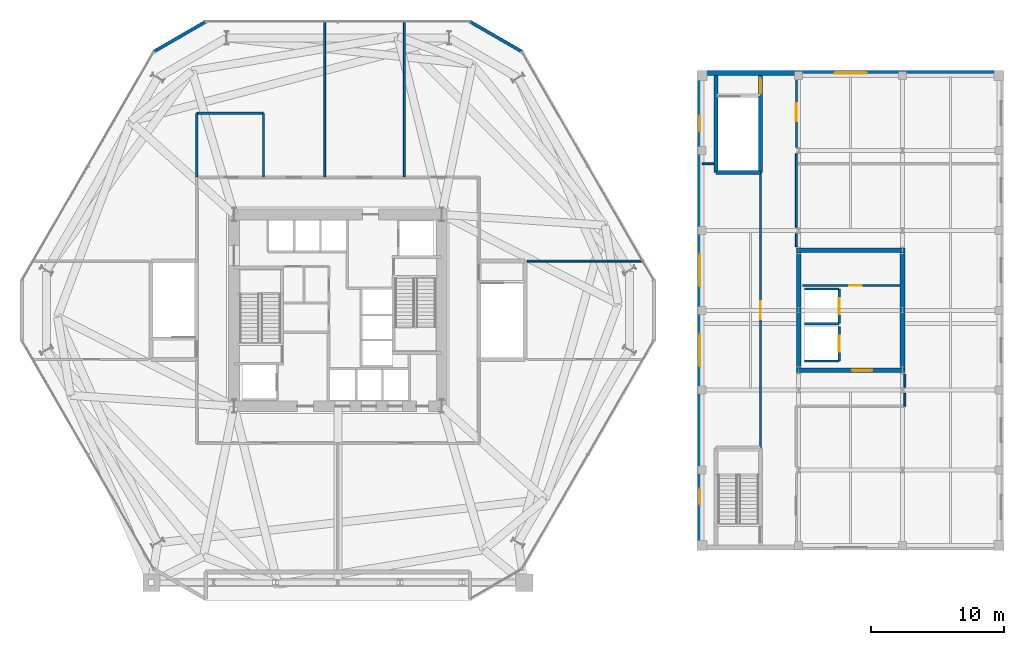
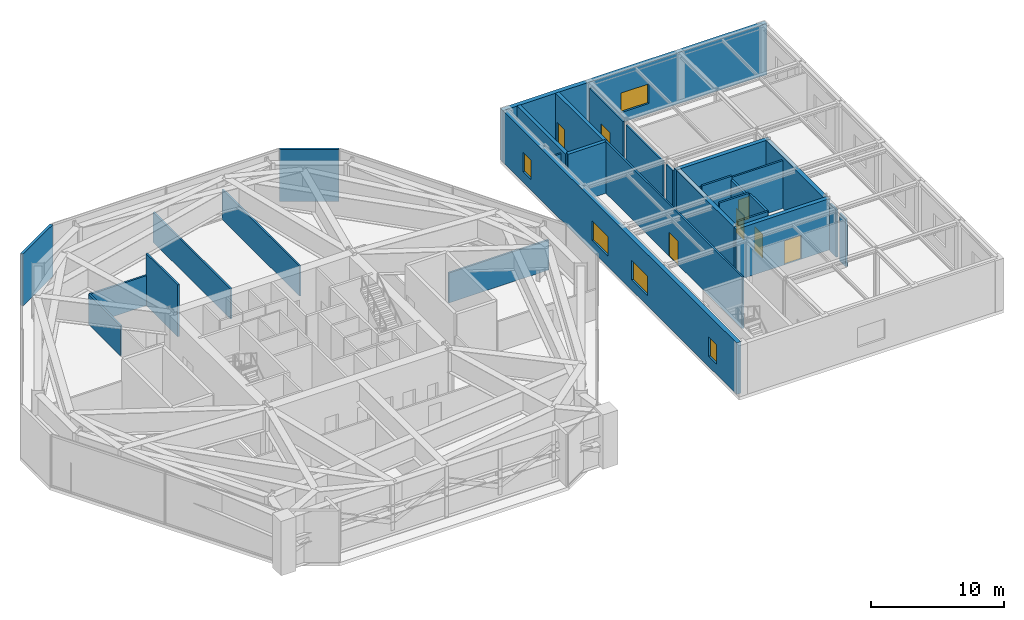
# One storey, part 13 of 16: 30 walls, 7 doors, 5 windows, 12 openings.
"""IFC4 building model written with IfcOpenShell, lengths in metres."""

from ifc_helpers import new_model, si_unit, direction, frame, frame_2d, origin, place, context, subcontext, project, spatial, rectangle, extrude, material, layer, layer_set, type_object, element, fill, save


model = new_model("IFC4")

# Units and contexts
model_context = context("Model", 3, precision=1e-05, world=origin(), true_north=direction((0.0, 1.0)))
body_context = subcontext(model_context, "Body", "Model", "MODEL_VIEW")
ifc_project = project(units=[si_unit("LENGTHUNIT", "METRE"), si_unit("AREAUNIT", "SQUARE_METRE"), si_unit("VOLUMEUNIT", "CUBIC_METRE"), si_unit("PLANEANGLEUNIT", "RADIAN"), si_unit("MASSUNIT", "GRAM", prefix="KILO")], contexts=[model_context])

# Site, building, storey
site_placement = place(None, origin())
site = spatial("IfcSite", under=ifc_project, at=site_placement, CompositionType="ELEMENT")
building_placement = place(site_placement, origin())
building = spatial("IfcBuilding", under=site, at=building_placement, Name="Kranzbogen Civic Tower", CompositionType="ELEMENT")
storey_placement = place(building_placement, frame((0.0, 0.0, 19.0)))
storey = spatial("IfcBuildingStorey", under=building, at=storey_placement, Name="L04", CompositionType="ELEMENT", Elevation=19.0)

# Walls
ifc_material_1 = material(Name="Double-Stud Acoustic Gypsum Partition")
ifc_layer_1 = layer(ifc_material_1, 0.14990234375, Name="Double-Stud Acoustic Gypsum Partition")
ifc_layer_set_1 = layer_set([ifc_layer_1], Name="Double-Stud Acoustic Gypsum Partition")
wall_type_1 = type_object("IfcWallType", Name="Acoustic Corridor and Clinical Partition 150 mm", PredefinedType="PARTITIONING", material=ifc_layer_set_1)
wall_1_placement = place(storey_placement, frame((39.22998046875, 28.699951171875, 0.0), z_axis=(0.0, 0.0, 1.0), x_axis=(1.0, 0.0, 0.0)))
element("IfcWall", 1, at=wall_1_placement, inside=storey, type_object=wall_type_1, Name="L04 podium partition 07", PredefinedType="PARTITIONING", context=body_context, shape_type="SweptSolid", body=[
    extrude(rectangle(XDim=8.68994140625, YDim=0.14990234375, at=frame_2d((4.344970703125, 0.0))), origin(), (0.0, 0.0, 1.0), 2.760009765625),
])
for number, where, z_axis, x_axis, name in (
    (2, (24.0, 35.030029296875, 0.0), (0.0, 0.0, 1.0), (0.0, 1.0, 0.0), "L04 podium partition 08"),
    (3, (30.0, 35.030029296875, 0.0), (0.0, 0.0, 1.0), (0.0, 1.0, 0.0), "L04 podium partition 09"),
):
    element("IfcWall", number, at=place(storey_placement, frame(where, z_axis=z_axis, x_axis=x_axis)), inside=storey, type_object=wall_type_1, Name=name, PredefinedType="PARTITIONING", context=body_context, shape_type="SweptSolid", body=[
        extrude(rectangle(XDim=11.669921875, YDim=0.14990234375, at=frame_2d((5.8349609375, 0.0))), origin(), (0.0, 0.0, 1.0), 2.760009765625),
    ])

# Wall, opening, door
wall_2_placement = place(storey_placement, frame((56.75, 14.64990234375, 0.0), z_axis=(0.0, 0.0, 1.0), x_axis=(0.0, 1.0, 0.0)))
wall_2 = element("IfcWall", 4, at=wall_2_placement, inside=storey, type_object=wall_type_1, Name="L04 clinical corridor W wall", PredefinedType="PARTITIONING", context=body_context, shape_type="SweptSolid", body=[
    extrude(rectangle(XDim=20.7001953125, YDim=0.14990234375, at=frame_2d((10.35009765625, 0.0))), origin(), (0.0, 0.0, 1.0), 4.760009765625),
])
opening_1_placement = place(wall_2_placement, frame((9.675048828125, 0.0, 0.0)))
opening_1 = element("IfcOpeningElement", 5, at=opening_1_placement, cuts=wall_2, Name="Opening D-CLN60", PredefinedType="OPENING", context=body_context, shape_type="SweptSolid", body=[
    extrude(rectangle(XDim=1.35009765625, YDim=2.199951171875, at=frame_2d((0.675048828125, 1.10009765625))), frame((0.0, 0.0849609375, 0.0), z_axis=(0.0, -1.0, 0.0), x_axis=(1.0, 0.0, 0.0)), (0.0, 0.0, 1.0), 0.169921875),
])
ifc_material_2 = material(Name="Pale Anodised Aluminium", Category="aluminium")
door_type_1 = type_object("IfcDoorType", Name="Clinical Wide Leaf Door 1350x2200", OperationType="NOTDEFINED", PredefinedType="DOOR", material=ifc_material_2)
door_1_placement = place(opening_1_placement, origin())
door_1 = element("IfcDoor", 6, at=door_1_placement, inside=storey, type_object=door_type_1, Name="L04 Day-Procedure Recovery Lounge door", OperationType="SINGLE_SWING_LEFT", OverallHeight=2.199951171875, OverallWidth=1.35009765625, PredefinedType="DOOR", context=body_context, shape_type="SweptSolid", body=[
    extrude(rectangle(XDim=1.35009765625, YDim=2.199951171875, at=frame_2d((0.675048828125, 1.10009765625))), frame((0.0, 0.02490234375, 0.0), z_axis=(0.0, -1.0, 0.0), x_axis=(1.0, 0.0, 0.0)), (0.0, 0.0, 1.0), 0.050048828125),
])
fill(opening_1, door_1)

# Walls
wall_3_placement = place(storey_placement, frame((59.425048828125, 29.7900390625, 0.0), z_axis=(0.0, 0.0, 1.0), x_axis=(0.0, 1.0, 0.0)))
element("IfcWall", 7, at=wall_3_placement, inside=storey, type_object=wall_type_1, Name="L04 clinical corridor E2 wall part 1", PredefinedType="PARTITIONING", context=body_context, shape_type="SweptSolid", body=[
    extrude(rectangle(XDim=0.969970703125, YDim=0.14990234375, at=frame_2d((0.48486328125, 0.0))), origin(), (0.0, 0.0, 1.0), 4.409912109375),
])
wall_4_placement = place(storey_placement, frame((59.425048828125, 31.239990234375, 0.0), z_axis=(0.0, 0.0, 1.0), x_axis=(0.0, 1.0, 0.0)))
element("IfcWall", 8, at=wall_4_placement, inside=storey, type_object=wall_type_1, Name="L04 clinical corridor E2 wall part 2", PredefinedType="PARTITIONING", context=body_context, shape_type="SweptSolid", body=[
    extrude(rectangle(XDim=5.52001953125, YDim=0.14990234375, at=frame_2d((2.760009765625, 0.0))), origin(), (0.0, 0.0, 1.0), 4.409912109375),
])

# Wall, opening, door
wall_5_placement = place(storey_placement, frame((59.425048828125, 37.239990234375, 0.0), z_axis=(0.0, 0.0, 1.0), x_axis=(0.0, 1.0, 0.0)))
wall_5 = element("IfcWall", 9, at=wall_5_placement, inside=storey, type_object=wall_type_1, Name="L04 clinical corridor E2 wall part 3", PredefinedType="PARTITIONING", context=body_context, shape_type="SweptSolid", body=[
    extrude(rectangle(XDim=5.070068359375, YDim=0.14990234375, at=frame_2d((2.53515625, 0.0))), origin(), (0.0, 0.0, 1.0), 4.409912109375),
])
opening_2_placement = place(wall_5_placement, frame((1.948974609375, 0.0, 0.0)))
opening_2 = element("IfcOpeningElement", 10, at=opening_2_placement, cuts=wall_5, Name="Opening D-CLN60", PredefinedType="OPENING", context=body_context, shape_type="SweptSolid", body=[
    extrude(rectangle(XDim=1.35009765625, YDim=2.199951171875, at=frame_2d((0.675048828125, 1.10009765625))), frame((0.0, 0.0849609375, 0.0), z_axis=(0.0, -1.0, 0.0), x_axis=(1.0, 0.0, 0.0)), (0.0, 0.0, 1.0), 0.169921875),
])
door_2_placement = place(opening_2_placement, origin())
door_2 = element("IfcDoor", 11, at=door_2_placement, inside=storey, type_object=door_type_1, Name="L04 Pre-Procedure Preparation Suite door", OperationType="SINGLE_SWING_RIGHT", OverallHeight=2.199951171875, OverallWidth=1.35009765625, PredefinedType="DOOR", context=body_context, shape_type="SweptSolid", body=[
    extrude(rectangle(XDim=1.35009765625, YDim=2.199951171875, at=frame_2d((0.675048828125, 1.10009765625))), frame((0.0, 0.02490234375, 0.0), z_axis=(0.0, -1.0, 0.0), x_axis=(1.0, 0.0, 0.0)), (0.0, 0.0, 1.0), 0.050048828125),
])
fill(opening_2, door_2)

# Walls
wall_6_placement = place(storey_placement, frame((67.574951171875, 17.800048828125, 0.0), z_axis=(0.0, 0.0, 1.0), x_axis=(0.0, 1.0, 0.0)))
element("IfcWall", 12, at=wall_6_placement, inside=storey, type_object=wall_type_1, Name="L04 clinical partition 01 part 1", PredefinedType="PARTITIONING", context=body_context, shape_type="SweptSolid", body=[
    extrude(rectangle(XDim=0.9599609375, YDim=0.14990234375, at=frame_2d((0.47998046875, 0.0))), origin(), (0.0, 0.0, 1.0), 4.3701171875),
])
wall_7_placement = place(storey_placement, frame((67.574951171875, 19.239990234375, 0.0), z_axis=(0.0, 0.0, 1.0), x_axis=(0.0, 1.0, 0.0)))
element("IfcWall", 13, at=wall_7_placement, inside=storey, type_object=wall_type_1, Name="L04 clinical partition 01 part 2", PredefinedType="PARTITIONING", context=body_context, shape_type="SweptSolid", body=[
    extrude(rectangle(XDim=0.969970703125, YDim=0.14990234375, at=frame_2d((0.48486328125, 0.0))), origin(), (0.0, 0.0, 1.0), 4.3701171875),
])
wall_8_placement = place(storey_placement, frame((52.3798828125, 36.0, 0.0), z_axis=(0.0, 0.0, 1.0), x_axis=(1.0, 0.0, 0.0)))
element("IfcWall", 14, at=wall_8_placement, inside=storey, type_object=wall_type_1, Name="L04 clinical partition 03", PredefinedType="PARTITIONING", context=body_context, shape_type="SweptSolid", body=[
    extrude(rectangle(XDim=0.840087890625, YDim=0.14990234375, at=frame_2d((0.419921875, 0.0))), origin(), (0.0, 0.0, 1.0), 4.409912109375),
])

# Wall, opening, door
ifc_material_3 = material(Name="Gypsum Fireboard Shaftliner")
ifc_layer_2 = layer(ifc_material_3, 0.175048828125, Name="Gypsum Fireboard Shaftliner")
ifc_layer_set_2 = layer_set([ifc_layer_2], Name="Gypsum Fireboard Shaftliner")
wall_type_2 = type_object("IfcWallType", Name="Fire-Rated Lift and Service Shaft Wall 175 mm", PredefinedType="PARTITIONING", material=ifc_layer_set_2)
wall_9_placement = place(storey_placement, frame((62.64990234375, 21.199951171875, 0.0), z_axis=(0.0, 0.0, 1.0), x_axis=(0.0, 1.0, 0.0)))
wall_9 = element("IfcWall", 15, at=wall_9_placement, inside=storey, type_object=wall_type_2, Name="L04 lift HC-L1 landing wall", PredefinedType="PARTITIONING", context=body_context, shape_type="SweptSolid", body=[
    extrude(rectangle(XDim=2.60009765625, YDim=0.175048828125, at=frame_2d((1.300048828125, 0.0))), origin(), (0.0, 0.0, 1.0), 4.760009765625),
])
opening_3_placement = place(wall_9_placement, frame((0.699951171875, 0.0, 0.0)))
opening_3 = element("IfcOpeningElement", 16, at=opening_3_placement, cuts=wall_9, Name="Opening LD-HC-L1", PredefinedType="OPENING", context=body_context, shape_type="SweptSolid", body=[
    extrude(rectangle(XDim=1.199951171875, YDim=2.199951171875, at=frame_2d((0.60009765625, 1.10009765625))), frame((0.0, 0.09765625, 0.0), z_axis=(0.0, -1.0, 0.0), x_axis=(1.0, 0.0, 0.0)), (0.0, 0.0, 1.0), 0.195068359375),
])
door_type_2 = type_object("IfcDoorType", Name="Firefighting and Stretcher Lift Sliding Landing Door 1200x2200", OperationType="DOUBLE_DOOR_SLIDING", PredefinedType="DOOR", material=ifc_material_2)
door_3_placement = place(opening_3_placement, origin())
door_3 = element("IfcDoor", 17, at=door_3_placement, inside=storey, type_object=door_type_2, Name="L04 lift HC-L1 sliding landing door", OperationType="DOUBLE_DOOR_SLIDING", OverallHeight=2.199951171875, OverallWidth=1.199951171875, PredefinedType="DOOR", context=body_context, shape_type="SweptSolid", body=[
    extrude(rectangle(XDim=1.199951171875, YDim=2.199951171875, at=frame_2d((0.60009765625, 1.10009765625))), frame((0.0, 0.02490234375, 0.0), z_axis=(0.0, -1.0, 0.0), x_axis=(1.0, 0.0, 0.0)), (0.0, 0.0, 1.0), 0.050048828125),
])
fill(opening_3, door_3)

# Wall
wall_10_placement = place(storey_placement, frame((60.050048828125, 21.199951171875, 0.0), z_axis=(0.0, 0.0, 1.0), x_axis=(1.0, 0.0, 0.0)))
element("IfcWall", 18, at=wall_10_placement, inside=storey, type_object=wall_type_2, Name="L04 lift HC-L1 side wall", PredefinedType="PARTITIONING", context=body_context, shape_type="SweptSolid", body=[
    extrude(rectangle(XDim=2.599853515625, YDim=0.175048828125, at=frame_2d((1.2998046875, 0.0))), origin(), (0.0, 0.0, 1.0), 4.760009765625),
])

# Wall, opening, door
wall_11_placement = place(storey_placement, frame((62.64990234375, 24.0, 0.0), z_axis=(0.0, 0.0, 1.0), x_axis=(0.0, 1.0, 0.0)))
wall_11 = element("IfcWall", 19, at=wall_11_placement, inside=storey, type_object=wall_type_2, Name="L04 lift HC-L2 landing wall", PredefinedType="PARTITIONING", context=body_context, shape_type="SweptSolid", body=[
    extrude(rectangle(XDim=2.60009765625, YDim=0.175048828125, at=frame_2d((1.300048828125, 0.0))), origin(), (0.0, 0.0, 1.0), 4.409912109375),
])
opening_4_placement = place(wall_11_placement, frame((0.699951171875, 0.0, 0.0)))
opening_4 = element("IfcOpeningElement", 20, at=opening_4_placement, cuts=wall_11, Name="Opening LD-HC-L2", PredefinedType="OPENING", context=body_context, shape_type="SweptSolid", body=[
    extrude(rectangle(XDim=1.199951171875, YDim=2.199951171875, at=frame_2d((0.60009765625, 1.10009765625))), frame((0.0, 0.09765625, 0.0), z_axis=(0.0, -1.0, 0.0), x_axis=(1.0, 0.0, 0.0)), (0.0, 0.0, 1.0), 0.195068359375),
])
door_4_placement = place(opening_4_placement, origin())
door_4 = element("IfcDoor", 21, at=door_4_placement, inside=storey, type_object=door_type_2, Name="L04 lift HC-L2 sliding landing door", OperationType="DOUBLE_DOOR_SLIDING", OverallHeight=2.199951171875, OverallWidth=1.199951171875, PredefinedType="DOOR", context=body_context, shape_type="SweptSolid", body=[
    extrude(rectangle(XDim=1.199951171875, YDim=2.199951171875, at=frame_2d((0.60009765625, 1.10009765625))), frame((0.0, 0.02490234375, 0.0), z_axis=(0.0, -1.0, 0.0), x_axis=(1.0, 0.0, 0.0)), (0.0, 0.0, 1.0), 0.050048828125),
])
fill(opening_4, door_4)

# Walls
for number, where, z_axis, x_axis, name in (
    (22, (60.050048828125, 24.0, 0.0), (0.0, 0.0, 1.0), (1.0, 0.0, 0.0), "L04 lift HC-L2 side wall"),
    (23, (60.050048828125, 26.60009765625, 0.0), (0.0, 0.0, 1.0), (1.0, 0.0, 0.0), "L04 lift HC-L2 North shaft wall"),
):
    element("IfcWall", number, at=place(storey_placement, frame(where, z_axis=z_axis, x_axis=x_axis)), inside=storey, type_object=wall_type_2, Name=name, PredefinedType="PARTITIONING", context=body_context, shape_type="SweptSolid", body=[
        extrude(rectangle(XDim=2.599853515625, YDim=0.175048828125, at=frame_2d((1.2998046875, 0.0))), origin(), (0.0, 0.0, 1.0), 4.760009765625),
    ])

# Wall, opening, door
ifc_material_4 = material(Name="Concrete C40/50", Category="concrete")
ifc_layer_3 = layer(ifc_material_4, 0.35009765625, Name="Concrete C40/50")
ifc_layer_set_3 = layer_set([ifc_layer_3], Name="Concrete C40/50")
wall_type_3 = type_object("IfcWallType", Name="Health Centre Core Shear Wall 350 mm", PredefinedType="SHEAR", material=ifc_layer_set_3)
wall_12_placement = place(storey_placement, frame((59.425048828125, 20.5, 0.0), z_axis=(0.0, 0.0, 1.0), x_axis=(1.0, 0.0, 0.0)))
wall_12 = element("IfcWall", 24, at=wall_12_placement, inside=storey, type_object=wall_type_3, Name="L04 Health Centre core South shear wall", PredefinedType="SHEAR", context=body_context, shape_type="SweptSolid", body=[
    extrude(rectangle(XDim=8.14990234375, YDim=0.35009765625, at=frame_2d((4.074951171875, 0.0))), origin(), (0.0, 0.0, 1.0), 4.72998046875),
])
opening_5_placement = place(wall_12_placement, frame((4.199951171875, 0.0, 0.0)))
opening_5 = element("IfcOpeningElement", 25, at=opening_5_placement, cuts=wall_12, Name="Opening D-DBL15", PredefinedType="OPENING", context=body_context, shape_type="SweptSolid", body=[
    extrude(rectangle(XDim=1.5, YDim=2.199951171875, at=frame_2d((0.75, 1.10009765625))), frame((0.0, 0.18505859375, 0.0), z_axis=(0.0, -1.0, 0.0), x_axis=(1.0, 0.0, 0.0)), (0.0, 0.0, 1.0), 0.3701171875),
])
ifc_material_5 = material(Name="Anodised Bronze and Glass", Category="glass")
door_type_3 = type_object("IfcDoorType", Name="Civic Lobby Double Door 1500x2200", OperationType="DOUBLE_DOOR_SINGLE_SWING", PredefinedType="DOOR", material=ifc_material_5)
door_5_placement = place(opening_5_placement, origin())
door_5 = element("IfcDoor", 26, at=door_5_placement, inside=storey, type_object=door_type_3, Name="L04 Health Centre Lift Lobby door", OperationType="DOUBLE_DOOR_SINGLE_SWING", OverallHeight=2.199951171875, OverallWidth=1.5, PredefinedType="DOOR", context=body_context, shape_type="SweptSolid", body=[
    extrude(rectangle(XDim=1.5, YDim=2.199951171875, at=frame_2d((0.75, 1.10009765625))), frame((0.0, 0.02490234375, 0.0), z_axis=(0.0, -1.0, 0.0), x_axis=(1.0, 0.0, 0.0)), (0.0, 0.0, 1.0), 0.050048828125),
])
fill(opening_5, door_5)

# Walls
wall_13_placement = place(storey_placement, frame((67.574951171875, 29.5, 0.0), z_axis=(0.0, 0.0, 1.0), x_axis=(-1.0, 0.0, 0.0)))
element("IfcWall", 27, at=wall_13_placement, inside=storey, type_object=wall_type_3, Name="L04 Health Centre core North shear wall", PredefinedType="SHEAR", context=body_context, shape_type="SweptSolid", body=[
    extrude(rectangle(XDim=8.14990234375, YDim=0.35009765625, at=frame_2d((4.074951171875, 0.0))), origin(), (0.0, 0.0, 1.0), 4.72998046875),
])
for number, where, z_axis, x_axis, name in (
    (28, (59.60009765625, 29.324951171875, 0.0), (0.0, 0.0, 1.0), (0.0, -1.0, 0.0), "L04 Health Centre core West shear wall"),
    (29, (67.39990234375, 20.675048828125, 0.0), (0.0, 0.0, 1.0), (0.0, 1.0, 0.0), "L04 Health Centre core East shear wall"),
):
    element("IfcWall", number, at=place(storey_placement, frame(where, z_axis=z_axis, x_axis=x_axis)), inside=storey, type_object=wall_type_3, Name=name, PredefinedType="SHEAR", context=body_context, shape_type="SweptSolid", body=[
        extrude(rectangle(XDim=8.64990234375, YDim=0.35009765625, at=frame_2d((4.324951171875, 0.0))), origin(), (0.0, 0.0, 1.0), 4.72998046875),
    ])

# Wall, opening, window
ifc_material_6 = material(Name="Precast concrete C40/50", Category="concrete")
ifc_layer_4 = layer(ifc_material_6, 0.3798828125, Name="Precast concrete C40/50")
ifc_layer_set_4 = layer_set([ifc_layer_4], Name="Precast concrete C40/50")
wall_type_4 = type_object("IfcWallType", Name="Health Centre Insulated Precast Facade Wall 380 mm", PredefinedType="STANDARD", material=ifc_layer_set_4)
wall_14_placement = place(storey_placement, frame((52.0, 42.81005859375, 0.0), z_axis=(0.0, 0.0, 1.0), x_axis=(1.0, 0.0, 0.0)))
wall_14 = element("IfcWall", 30, at=wall_14_placement, inside=storey, type_object=wall_type_4, Name="L04 Health Centre North facade wall", PredefinedType="STANDARD", context=body_context, shape_type="SweptSolid", body=[
    extrude(rectangle(XDim=23.0, YDim=0.3798828125, at=frame_2d((11.5, 0.0))), origin(), (0.0, 0.0, 1.0), 4.72998046875),
])
opening_6_placement = place(wall_14_placement, frame((10.300048828125, 0.0, 0.949951171875)))
opening_6 = element("IfcOpeningElement", 31, at=opening_6_placement, cuts=wall_14, Name="Opening W-HC24", PredefinedType="OPENING", context=body_context, shape_type="SweptSolid", body=[
    extrude(rectangle(XDim=2.39990234375, YDim=1.800048828125, at=frame_2d((1.199951171875, 0.89990234375))), frame((0.0, 0.199951171875, 0.0), z_axis=(0.0, -1.0, 0.0), x_axis=(1.0, 0.0, 0.0)), (0.0, 0.0, 1.0), 0.39990234375),
])
ifc_material_7 = material(Name="Low-E Triple Glazing Glass", Category="glass")
window_type_1 = type_object("IfcWindowType", Name="Wide Clinical Window 2400x1800", PartitioningType="TRIPLE_PANEL_VERTICAL", PredefinedType="WINDOW", material=ifc_material_7)
window_1_placement = place(opening_6_placement, origin())
window_1 = element("IfcWindow", 32, at=window_1_placement, inside=storey, type_object=window_type_1, Name="L04 Health Centre North window", OverallHeight=1.800048828125, OverallWidth=2.39990234375, PartitioningType="TRIPLE_PANEL_VERTICAL", PredefinedType="WINDOW", context=body_context, shape_type="SweptSolid", body=[
    extrude(rectangle(XDim=2.39990234375, YDim=1.800048828125, at=frame_2d((1.199951171875, 0.89990234375))), frame((0.0, 0.030029296875, 0.0), z_axis=(0.0, -1.0, 0.0), x_axis=(1.0, 0.0, 0.0)), (0.0, 0.0, 1.0), 0.06005859375),
])
fill(opening_6, window_1)

# Wall, openings, windows
wall_15_placement = place(storey_placement, frame((52.18994140625, 7.3798828125, 0.0), z_axis=(0.0, 0.0, 1.0), x_axis=(0.0, 1.0, 0.0)))
wall_15 = element("IfcWall", 33, at=wall_15_placement, inside=storey, type_object=wall_type_4, Name="L04 Health Centre West facade wall", PredefinedType="STANDARD", context=body_context, shape_type="SweptSolid", body=[
    extrude(rectangle(XDim=35.240234375, YDim=0.3798828125, at=frame_2d((17.6201171875, 0.0))), origin(), (0.0, 0.0, 1.0), 4.72998046875),
])
opening_7_placement = place(wall_15_placement, frame((3.02001953125, 0.0, 0.949951171875)))
opening_7 = element("IfcOpeningElement", 34, at=opening_7_placement, cuts=wall_15, Name="Opening W-HC12", PredefinedType="OPENING", context=body_context, shape_type="SweptSolid", body=[
    extrude(rectangle(XDim=1.199951171875, YDim=1.800048828125, at=frame_2d((0.60009765625, 0.89990234375))), frame((0.0, 0.199951171875, 0.0), z_axis=(0.0, -1.0, 0.0), x_axis=(1.0, 0.0, 0.0)), (0.0, 0.0, 1.0), 0.39990234375),
])
opening_8_placement = place(wall_15_placement, frame((13.419921875, 0.0, 0.949951171875)))
opening_8 = element("IfcOpeningElement", 35, at=opening_8_placement, cuts=wall_15, Name="Opening W-HC24", PredefinedType="OPENING", context=body_context, shape_type="SweptSolid", body=[
    extrude(rectangle(XDim=2.39990234375, YDim=1.800048828125, at=frame_2d((1.199951171875, 0.89990234375))), frame((0.0, 0.199951171875, 0.0), z_axis=(0.0, -1.0, 0.0), x_axis=(1.0, 0.0, 0.0)), (0.0, 0.0, 1.0), 0.39990234375),
])
opening_9_placement = place(wall_15_placement, frame((19.419921875, 0.0, 0.949951171875)))
opening_9 = element("IfcOpeningElement", 36, at=opening_9_placement, cuts=wall_15, Name="Opening W-HC24", PredefinedType="OPENING", context=body_context, shape_type="SweptSolid", body=[
    extrude(rectangle(XDim=2.39990234375, YDim=1.800048828125, at=frame_2d((1.199951171875, 0.89990234375))), frame((0.0, 0.199951171875, 0.0), z_axis=(0.0, -1.0, 0.0), x_axis=(1.0, 0.0, 0.0)), (0.0, 0.0, 1.0), 0.39990234375),
])
opening_10_placement = place(wall_15_placement, frame((31.02001953125, 0.0, 0.949951171875)))
opening_10 = element("IfcOpeningElement", 37, at=opening_10_placement, cuts=wall_15, Name="Opening W-HC12", PredefinedType="OPENING", context=body_context, shape_type="SweptSolid", body=[
    extrude(rectangle(XDim=1.199951171875, YDim=1.800048828125, at=frame_2d((0.60009765625, 0.89990234375))), frame((0.0, 0.199951171875, 0.0), z_axis=(0.0, -1.0, 0.0), x_axis=(1.0, 0.0, 0.0)), (0.0, 0.0, 1.0), 0.39990234375),
])
window_type_2 = type_object("IfcWindowType", Name="Stair and End-Bay Window 1200x1800", PartitioningType="SINGLE_PANEL", PredefinedType="WINDOW", material=ifc_material_7)
window_2_placement = place(opening_7_placement, origin())
window_2 = element("IfcWindow", 38, at=window_2_placement, inside=storey, type_object=window_type_2, Name="L04 Health Centre West bay 1 window", OverallHeight=1.800048828125, OverallWidth=1.199951171875, PartitioningType="SINGLE_PANEL", PredefinedType="WINDOW", context=body_context, shape_type="SweptSolid", body=[
    extrude(rectangle(XDim=1.199951171875, YDim=1.800048828125, at=frame_2d((0.60009765625, 0.89990234375))), frame((0.0, 0.030029296875, 0.0), z_axis=(0.0, -1.0, 0.0), x_axis=(1.0, 0.0, 0.0)), (0.0, 0.0, 1.0), 0.06005859375),
])
fill(opening_7, window_2)
window_3_placement = place(opening_10_placement, origin())
window_3 = element("IfcWindow", 39, at=window_3_placement, inside=storey, type_object=window_type_2, Name="L04 Health Centre West bay 4 window", OverallHeight=1.800048828125, OverallWidth=1.199951171875, PartitioningType="SINGLE_PANEL", PredefinedType="WINDOW", context=body_context, shape_type="SweptSolid", body=[
    extrude(rectangle(XDim=1.199951171875, YDim=1.800048828125, at=frame_2d((0.60009765625, 0.89990234375))), frame((0.0, 0.030029296875, 0.0), z_axis=(0.0, -1.0, 0.0), x_axis=(1.0, 0.0, 0.0)), (0.0, 0.0, 1.0), 0.06005859375),
])
fill(opening_10, window_3)
window_4_placement = place(opening_8_placement, origin())
window_4 = element("IfcWindow", 40, at=window_4_placement, inside=storey, type_object=window_type_1, Name="L04 Health Centre West bay 2 window", OverallHeight=1.800048828125, OverallWidth=2.39990234375, PartitioningType="TRIPLE_PANEL_VERTICAL", PredefinedType="WINDOW", context=body_context, shape_type="SweptSolid", body=[
    extrude(rectangle(XDim=2.39990234375, YDim=1.800048828125, at=frame_2d((1.199951171875, 0.89990234375))), frame((0.0, 0.030029296875, 0.0), z_axis=(0.0, -1.0, 0.0), x_axis=(1.0, 0.0, 0.0)), (0.0, 0.0, 1.0), 0.06005859375),
])
fill(opening_8, window_4)
window_5_placement = place(opening_9_placement, origin())
window_5 = element("IfcWindow", 41, at=window_5_placement, inside=storey, type_object=window_type_1, Name="L04 Health Centre West bay 3 window", OverallHeight=1.800048828125, OverallWidth=2.39990234375, PartitioningType="TRIPLE_PANEL_VERTICAL", PredefinedType="WINDOW", context=body_context, shape_type="SweptSolid", body=[
    extrude(rectangle(XDim=2.39990234375, YDim=1.800048828125, at=frame_2d((1.199951171875, 0.89990234375))), frame((0.0, 0.030029296875, 0.0), z_axis=(0.0, -1.0, 0.0), x_axis=(1.0, 0.0, 0.0)), (0.0, 0.0, 1.0), 0.06005859375),
])
fill(opening_9, window_5)

# Walls
ifc_layer_5 = layer(ifc_material_2, 0.239990234375, Name="Pale Anodised Aluminium")
ifc_layer_set_5 = layer_set([ifc_layer_5], Name="Pale Anodised Aluminium")
wall_type_5 = type_object("IfcWallType", Name="Insulated Aluminium Facade Portal Wall 240 mm", PredefinedType="STANDARD", material=ifc_layer_set_5)
for number, where, z_axis, x_axis, name in (
    (42, (38.803955078125, 44.43603515625, 0.0), (0.0, 0.0, 1.0), (-0.865987450899, 0.500065730564, 0.0), "L04 chamfered corner facade spandrel 1"),
    (43, (15.070068359375, 46.673095703125, 0.0), (0.0, 0.0, 1.0), (-0.865987450899, -0.500065730564, 0.0), "L04 chamfered corner facade spandrel 2"),
):
    element("IfcWall", number, at=place(storey_placement, frame(where, z_axis=z_axis, x_axis=x_axis)), inside=storey, type_object=wall_type_5, Name=name, PredefinedType="STANDARD", context=body_context, shape_type="SweptSolid", body=[
        extrude(rectangle(XDim=4.4736328125, YDim=0.239990234375, at=frame_2d((2.23681640625, 0.0))), origin(), (0.0, 0.0, 1.0), 4.760009765625),
    ])

# Wall, opening, door
ifc_material_8 = material(Name="Moisture-Resistant Gypsum Assembly")
ifc_layer_6 = layer(ifc_material_8, 0.159912109375, Name="Moisture-Resistant Gypsum Assembly")
ifc_layer_set_6 = layer_set([ifc_layer_6], Name="Moisture-Resistant Gypsum Assembly")
wall_type_6 = type_object("IfcWallType", Name="Sanitary and Plumbing Wet Wall 160 mm", PredefinedType="PLUMBINGWALL", material=ifc_layer_set_6)
wall_16_placement = place(storey_placement, frame((59.89990234375, 26.875, 0.0), z_axis=(0.0, 0.0, 1.0), x_axis=(1.0, 0.0, 0.0)))
wall_16 = element("IfcWall", 44, at=wall_16_placement, inside=storey, type_object=wall_type_6, Name="L04 HC Accessible WC wall", PredefinedType="PLUMBINGWALL", context=body_context, shape_type="SweptSolid", body=[
    extrude(rectangle(XDim=7.3251953125, YDim=0.159912109375, at=frame_2d((3.66259765625, 0.0))), origin(), (0.0, 0.0, 1.0), 4.409912109375),
])
opening_11_placement = place(wall_16_placement, frame((3.5, 0.0, 0.0)))
opening_11 = element("IfcOpeningElement", 45, at=opening_11_placement, cuts=wall_16, Name="Opening D-AWC95", PredefinedType="OPENING", context=body_context, shape_type="SweptSolid", body=[
    extrude(rectangle(XDim=0.949951171875, YDim=2.10009765625, at=frame_2d((0.47509765625, 1.050048828125))), frame((0.0, 0.08984375, 0.0), z_axis=(0.0, -1.0, 0.0), x_axis=(1.0, 0.0, 0.0)), (0.0, 0.0, 1.0), 0.179931640625),
])
ifc_material_9 = material(Name="Moisture-Resistant Laminate")
door_type_4 = type_object("IfcDoorType", Name="Accessible Restroom Door 950x2100", OperationType="NOTDEFINED", PredefinedType="DOOR", material=ifc_material_9)
door_6_placement = place(opening_11_placement, origin())
door_6 = element("IfcDoor", 46, at=door_6_placement, inside=storey, type_object=door_type_4, Name="L04 Patient Accessible Restroom door", OperationType="SINGLE_SWING_RIGHT", OverallHeight=2.10009765625, OverallWidth=0.949951171875, PredefinedType="DOOR", context=body_context, shape_type="SweptSolid", body=[
    extrude(rectangle(XDim=0.949951171875, YDim=2.10009765625, at=frame_2d((0.47509765625, 1.050048828125))), frame((0.0, 0.02490234375, 0.0), z_axis=(0.0, -1.0, 0.0), x_axis=(1.0, 0.0, 0.0)), (0.0, 0.0, 1.0), 0.050048828125),
])
fill(opening_11, door_6)

# Walls
wall_17_placement = place(storey_placement, frame((14.39990234375, 39.800048828125, 0.0), z_axis=(0.0, 0.0, 1.0), x_axis=(1.0, 0.0, 0.0)))
element("IfcWall", 47, at=wall_17_placement, inside=storey, type_object=wall_type_6, Name="L04 podium partition 01", PredefinedType="PLUMBINGWALL", context=body_context, shape_type="SweptSolid", body=[
    extrude(rectangle(XDim=5.0, YDim=0.159912109375, at=frame_2d((2.5, 0.0))), origin(), (0.0, 0.0, 1.0), 2.760009765625),
])
wall_18_placement = place(storey_placement, frame((19.39990234375, 35.0, 0.0), z_axis=(0.0, 0.0, 1.0), x_axis=(0.0, 1.0, 0.0)))
element("IfcWall", 48, at=wall_18_placement, inside=storey, type_object=wall_type_6, Name="L04 podium partition 02", PredefinedType="PLUMBINGWALL", context=body_context, shape_type="SweptSolid", body=[
    extrude(rectangle(XDim=4.800048828125, YDim=0.159912109375, at=frame_2d((2.39990234375, 0.0))), origin(), (0.0, 0.0, 1.0), 4.760009765625),
])
wall_19_placement = place(storey_placement, frame((14.39990234375, 35.0, 0.0), z_axis=(0.0, 0.0, 1.0), x_axis=(0.0, 1.0, 0.0)))
element("IfcWall", 49, at=wall_19_placement, inside=storey, type_object=wall_type_6, Name="L04 podium partition 03", PredefinedType="PLUMBINGWALL", context=body_context, shape_type="SweptSolid", body=[
    extrude(rectangle(XDim=4.800048828125, YDim=0.159912109375, at=frame_2d((2.39990234375, 0.0))), origin(), (0.0, 0.0, 1.0), 2.760009765625),
])

# Wall, opening, door
ifc_layer_7 = layer(ifc_material_4, 0.300048828125, Name="Concrete C40/50")
ifc_layer_set_7 = layer_set([ifc_layer_7], Name="Concrete C40/50")
wall_type_7 = type_object("IfcWallType", Name="Structural Ramp and Stair Shaft Wall 300 mm", PredefinedType="SOLIDWALL", material=ifc_layer_set_7)
wall_20_placement = place(storey_placement, frame((56.75, 35.35009765625, 0.0), z_axis=(0.0, 0.0, 1.0), x_axis=(0.0, 1.0, 0.0)))
wall_20 = element("IfcWall", 50, at=wall_20_placement, inside=storey, type_object=wall_type_7, Name="L04 STH2 E structural stair wall", PredefinedType="SOLIDWALL", context=body_context, shape_type="SweptSolid", body=[
    extrude(rectangle(XDim=7.2998046875, YDim=0.300048828125, at=frame_2d((3.64990234375, 0.0))), origin(), (0.0, 0.0, 1.0), 4.72998046875),
])
opening_12_placement = place(wall_20_placement, frame((5.919921875, 0.0, 0.0)))
opening_12 = element("IfcOpeningElement", 51, at=opening_12_placement, cuts=wall_20, Name="Opening D-ST90", PredefinedType="OPENING", context=body_context, shape_type="SweptSolid", body=[
    extrude(rectangle(XDim=1.14990234375, YDim=2.199951171875, at=frame_2d((0.574951171875, 1.10009765625))), frame((0.0, 0.16015625, 0.0), z_axis=(0.0, -1.0, 0.0), x_axis=(1.0, 0.0, 0.0)), (0.0, 0.0, 1.0), 0.320068359375),
])
ifc_material_10 = material(Name="Steel S355", Category="steel")
door_type_5 = type_object("IfcDoorType", Name="Pressurized Stair and Lobby Fire Door 1150x2200", OperationType="NOTDEFINED", PredefinedType="DOOR", material=ifc_material_10)
door_7_placement = place(opening_12_placement, origin())
door_7 = element("IfcDoor", 52, at=door_7_placement, inside=storey, type_object=door_type_5, Name="L04 Health Centre Stair 2 fire door", OperationType="SINGLE_SWING_LEFT", OverallHeight=2.199951171875, OverallWidth=1.14990234375, PredefinedType="DOOR", context=body_context, shape_type="SweptSolid", body=[
    extrude(rectangle(XDim=1.14990234375, YDim=2.199951171875, at=frame_2d((0.574951171875, 1.10009765625))), frame((0.0, 0.02490234375, 0.0), z_axis=(0.0, -1.0, 0.0), x_axis=(1.0, 0.0, 0.0)), (0.0, 0.0, 1.0), 0.050048828125),
])
fill(opening_12, door_7)

# Walls
wall_21_placement = place(storey_placement, frame((53.39990234375, 35.35009765625, 0.0), z_axis=(0.0, 0.0, 1.0), x_axis=(0.0, 1.0, 0.0)))
element("IfcWall", 53, at=wall_21_placement, inside=storey, type_object=wall_type_7, Name="L04 STH2 W structural stair wall", PredefinedType="SOLIDWALL", context=body_context, shape_type="SweptSolid", body=[
    extrude(rectangle(XDim=7.2998046875, YDim=0.300048828125, at=frame_2d((3.64990234375, 0.0))), origin(), (0.0, 0.0, 1.0), 4.72998046875),
])
wall_22_placement = place(storey_placement, frame((53.39990234375, 35.35009765625, 0.0), z_axis=(0.0, 0.0, 1.0), x_axis=(1.0, 0.0, 0.0)))
element("IfcWall", 54, at=wall_22_placement, inside=storey, type_object=wall_type_7, Name="L04 STH2 S structural stair wall", PredefinedType="SOLIDWALL", context=body_context, shape_type="SweptSolid", body=[
    extrude(rectangle(XDim=3.35009765625, YDim=0.300048828125, at=frame_2d((1.675048828125, 0.0))), origin(), (0.0, 0.0, 1.0), 4.72998046875),
])

save(model, "model.ifc")
